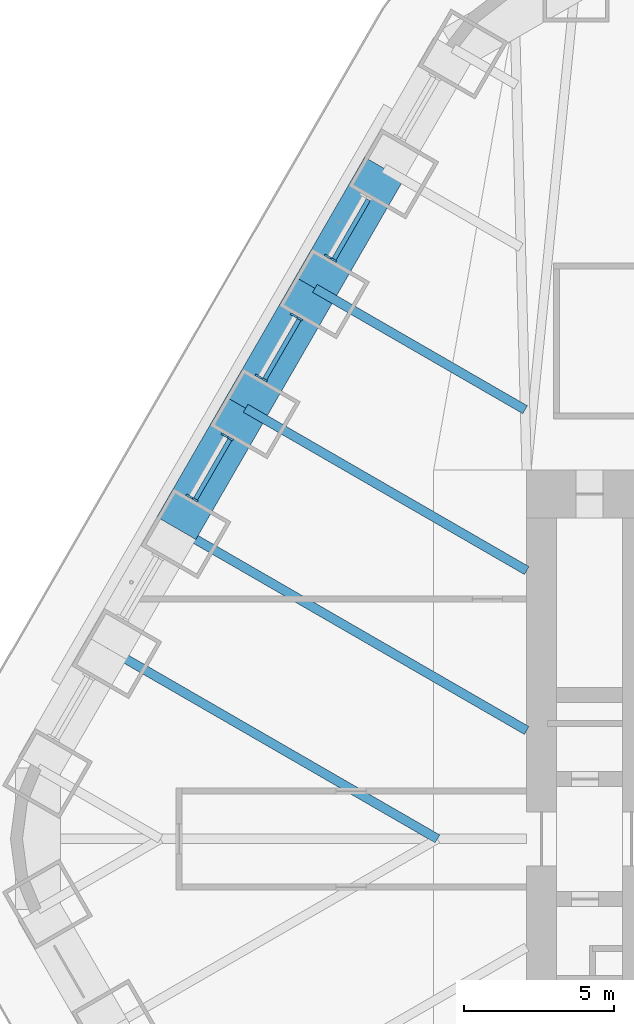
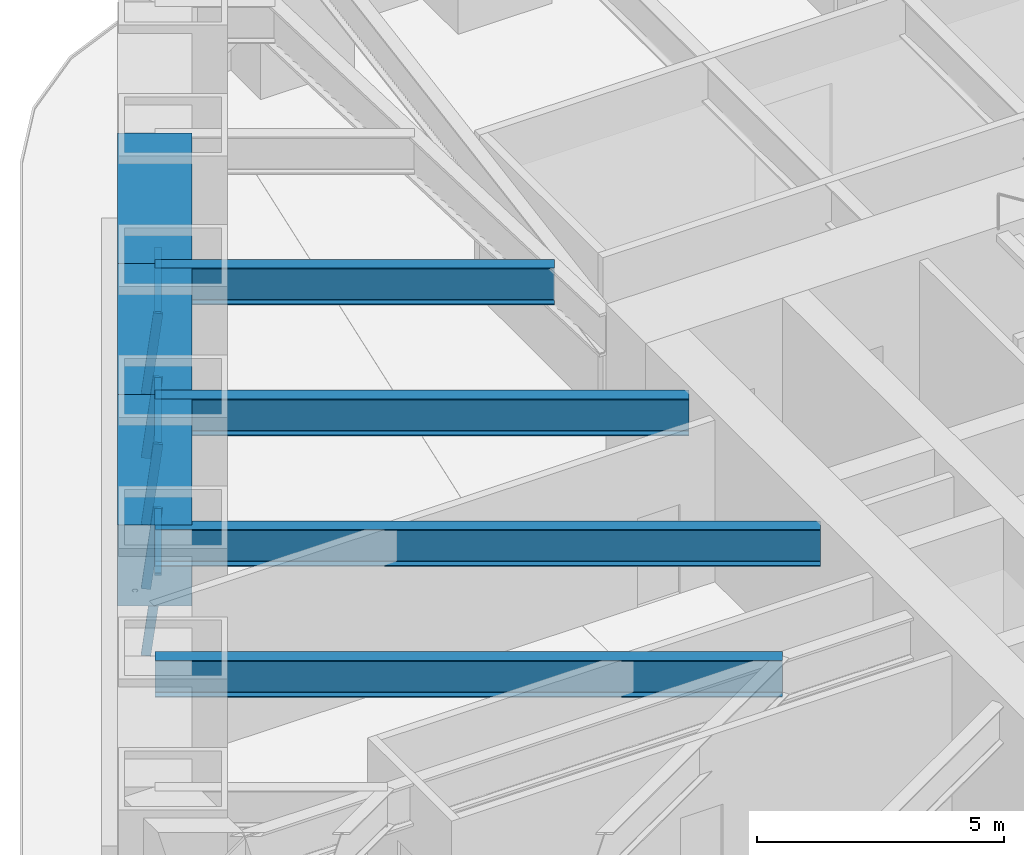
# One storey, part 7 of 20: 8 members, 7 beams, 3 elements without a shape of their own.
"""IFC4 building model written with IfcOpenShell, lengths in metres."""

from ifc_helpers import new_model, si_unit, direction, frame, origin, origin_2d, place, context, subcontext, project, spatial, rectangle, i_section, extrude, material, material_profile, profile_set, type_object, element, aggregate, save


model = new_model("IFC4")

# Units and contexts
model_context = context("Model", 3, precision=1e-05, world=origin(), true_north=direction((0.0, 1.0)))
body_context = subcontext(model_context, "Body", "Model", "MODEL_VIEW")
ifc_project = project(units=[si_unit("LENGTHUNIT", "METRE"), si_unit("AREAUNIT", "SQUARE_METRE"), si_unit("VOLUMEUNIT", "CUBIC_METRE"), si_unit("PLANEANGLEUNIT", "RADIAN"), si_unit("MASSUNIT", "GRAM", prefix="KILO")], contexts=[model_context])

# Site, building, storey
site_placement = place(None, origin())
site = spatial("IfcSite", under=ifc_project, at=site_placement, CompositionType="ELEMENT")
building_placement = place(site_placement, origin())
building = spatial("IfcBuilding", under=site, at=building_placement, Name="Tarfa Lantern Tower", CompositionType="ELEMENT")
storey_placement = place(building_placement, frame((0.0, 0.0, 215.5)))
storey = spatial("IfcBuildingStorey", under=building, at=storey_placement, Name="L48", CompositionType="ELEMENT", Elevation=215.5)

# Curtain wall, member
ifc_material_1 = material(Name="Aluminium framed curtain wall", Category="aluminium")
curtain_wall_type = type_object("IfcCurtainWallType", Name="CW3 CANTED GLAZING HIGH ZONE 2000", PredefinedType="USERDEFINED", material=ifc_material_1)
curtain_wall_1_placement = place(storey_placement, origin())
curtain_wall_1 = element("IfcCurtainWall", 1, at=curtain_wall_1_placement, inside=storey, type_object=curtain_wall_type, Name="CW3 NW L48", ObjectType="CURTAIN WALL", PredefinedType="USERDEFINED")
ifc_material_2 = material(Name="Aluminium mullion", Category="aluminium")
ifc_material_profile_1 = material_profile(ifc_material_2, rectangle(XDim=0.06494140625, YDim=0.199951171875, at=origin_2d()), Name="AL MULLION 65x200")
ifc_profile_set_1 = profile_set([ifc_material_profile_1], Name="Aluminium mullion")
member_type_1 = type_object("IfcMemberType", Name="CWM1 MULLION 65x200", PredefinedType="MULLION", material=ifc_profile_set_1)
member_1_placement = place(storey_placement, frame((-22.152587890625, 19.4306640625, 0.0), z_axis=(0.107439978116, -0.062017213975, 0.992275423596), x_axis=(0.499919672301, 0.866071776036, 0.0)))
member_1 = element("IfcMember", 2, at=member_1_placement, type_object=member_type_1, Name="CW3 mullion 2", PredefinedType="MULLION", context=body_context, shape_type="SweptSolid", body=[
    extrude(rectangle(XDim=0.06494140625, YDim=0.199951171875, at=origin_2d()), origin(), (0.0, 0.0, 1.0), 2.015625),
])

# Curtain wall, members
curtain_wall_2_placement = place(storey_placement, origin())
curtain_wall_2 = element("IfcCurtainWall", 3, at=curtain_wall_2_placement, inside=storey, type_object=curtain_wall_type, Name="CW3 NW L48", ObjectType="CURTAIN WALL", PredefinedType="USERDEFINED")
member_2_placement = place(storey_placement, frame((-23.284912109375, 17.46923828125, 0.0), z_axis=(0.107439978116, -0.062017213975, 0.992275423596), x_axis=(0.499919672301, 0.866071776036, 0.0)))
member_2 = element("IfcMember", 4, at=member_2_placement, type_object=member_type_1, Name="CW3 mullion 1", PredefinedType="MULLION", context=body_context, shape_type="SweptSolid", body=[
    extrude(rectangle(XDim=0.06494140625, YDim=0.199951171875, at=origin_2d()), origin(), (0.0, 0.0, 1.0), 2.015625),
])
member_3_placement = place(storey_placement, frame((-24.4619140625, 15.4306640625, 0.0), z_axis=(0.107439978116, -0.062017213975, 0.992275423596), x_axis=(0.499919672301, 0.866071776036, 0.0)))
member_3 = element("IfcMember", 5, at=member_3_placement, type_object=member_type_1, Name="CW3 mullion 2", PredefinedType="MULLION", context=body_context, shape_type="SweptSolid", body=[
    extrude(rectangle(XDim=0.06494140625, YDim=0.199951171875, at=origin_2d()), origin(), (0.0, 0.0, 1.0), 2.015625),
])

curtain_wall_3_placement = place(storey_placement, origin())
curtain_wall_3 = element("IfcCurtainWall", 6, at=curtain_wall_3_placement, inside=storey, type_object=curtain_wall_type, Name="CW3 NW L48", ObjectType="CURTAIN WALL", PredefinedType="USERDEFINED")
member_4_placement = place(storey_placement, frame((-25.594482421875, 13.46923828125, 0.0), z_axis=(0.107439978116, -0.062017213975, 0.992275423596), x_axis=(0.499919672301, 0.866071776036, 0.0)))
member_4 = element("IfcMember", 7, at=member_4_placement, type_object=member_type_1, Name="CW3 mullion 1", PredefinedType="MULLION", context=body_context, shape_type="SweptSolid", body=[
    extrude(rectangle(XDim=0.06494140625, YDim=0.199951171875, at=origin_2d()), origin(), (0.0, 0.0, 1.0), 2.015625),
])
member_5_placement = place(storey_placement, frame((-26.771240234375, 11.4306640625, 0.0), z_axis=(0.107439978116, -0.062017213975, 0.992275423596), x_axis=(0.499919672301, 0.866071776036, 0.0)))
member_5 = element("IfcMember", 8, at=member_5_placement, type_object=member_type_1, Name="CW3 mullion 2", PredefinedType="MULLION", context=body_context, shape_type="SweptSolid", body=[
    extrude(rectangle(XDim=0.06494140625, YDim=0.199951171875, at=origin_2d()), origin(), (0.0, 0.0, 1.0), 2.015625),
])

# Member
ifc_material_3 = material(Name="Aluminium transom", Category="aluminium")
ifc_material_profile_2 = material_profile(ifc_material_3, rectangle(XDim=0.14990234375, YDim=0.06494140625, at=origin_2d()), Name="AL TRANSOM 150x65")
ifc_profile_set_2 = profile_set([ifc_material_profile_2], Name="Aluminium transom")
member_type_2 = type_object("IfcMemberType", Name="CWT1 TRANSOM 150x65", PredefinedType="USERDEFINED", material=ifc_profile_set_2)
member_6_placement = place(storey_placement, frame((-20.77880859375, 21.318115234375, 1.967529296875), z_axis=(-0.500039451542, -0.866002625228, 0.0), x_axis=(0.866002625228, -0.500039451542, 0.0)))
member_6 = element("IfcMember", 9, at=member_6_placement, type_object=member_type_2, Name="CW3 transom 1.2", ObjectType="TRANSOM", PredefinedType="USERDEFINED", context=body_context, shape_type="SweptSolid", body=[
    extrude(rectangle(XDim=0.14990234375, YDim=0.06494140625, at=origin_2d()), origin(), (0.0, 0.0, 1.0), 2.288818359375),
])

aggregate(curtain_wall_1, [member_1, member_6])

member_7_placement = place(storey_placement, frame((-23.088134765625, 17.318115234375, 1.967529296875), z_axis=(-0.500039451542, -0.866002625228, 0.0), x_axis=(0.866002625228, -0.500039451542, 0.0)))
member_7 = element("IfcMember", 10, at=member_7_placement, type_object=member_type_2, Name="CW3 transom 1.2", ObjectType="TRANSOM", PredefinedType="USERDEFINED", context=body_context, shape_type="SweptSolid", body=[
    extrude(rectangle(XDim=0.14990234375, YDim=0.06494140625, at=origin_2d()), origin(), (0.0, 0.0, 1.0), 2.288818359375),
])

aggregate(curtain_wall_2, [member_2, member_3, member_7])

member_8_placement = place(storey_placement, frame((-25.397705078125, 13.318115234375, 1.967529296875), z_axis=(-0.499959451571, -0.866048813165, 0.0), x_axis=(0.866048813165, -0.499959451571, 0.0)))
member_8 = element("IfcMember", 11, at=member_8_placement, type_object=member_type_2, Name="CW3 transom 1.2", ObjectType="TRANSOM", PredefinedType="USERDEFINED", context=body_context, shape_type="SweptSolid", body=[
    extrude(rectangle(XDim=0.14990234375, YDim=0.06494140625, at=origin_2d()), origin(), (0.0, 0.0, 1.0), 2.288818359375),
])

aggregate(curtain_wall_3, [member_4, member_5, member_8])

# Beams
ifc_material_4 = material(Name="Concrete C80/95", Category="concrete")
ifc_material_profile_3 = material_profile(ifc_material_4, rectangle(XDim=1.5, YDim=2.0, at=origin_2d()), Name="RC 1500x2000")
ifc_profile_set_3 = profile_set([ifc_material_profile_3], Name="Concrete C80/95")
beam_type_1 = type_object("IfcBeamType", Name="RB3 RC 1500x2000", PredefinedType="BEAM", material=ifc_profile_set_3)
beam_1_placement = place(storey_placement, frame((-20.25341796875, 22.360107421875, 3.0), z_axis=(-0.499987836815, -0.866032426089, 0.0), x_axis=(0.866032426089, -0.499987836815, 0.0)))
element("IfcBeam", 12, at=beam_1_placement, inside=storey, type_object=beam_type_1, Name="Edge beam NW1", PredefinedType="BEAM", context=body_context, shape_type="SweptSolid", body=[
    extrude(rectangle(XDim=1.5, YDim=2.0, at=origin_2d()), origin(), (0.0, 0.0, 1.0), 4.61865234375),
])
beam_2_placement = place(storey_placement, frame((-22.562744140625, 18.360107421875, 3.0), z_axis=(-0.500027479704, -0.866009537788, 0.0), x_axis=(0.866009537788, -0.500027479704, 0.0)))
element("IfcBeam", 13, at=beam_2_placement, inside=storey, type_object=beam_type_1, Name="Edge beam NW2", PredefinedType="BEAM", context=body_context, shape_type="SweptSolid", body=[
    extrude(rectangle(XDim=1.5, YDim=2.0, at=origin_2d()), origin(), (0.0, 0.0, 1.0), 4.618896484375),
])
beam_3_placement = place(storey_placement, frame((-24.872314453125, 14.360107421875, 3.0), z_axis=(-0.499987836815, -0.866032426089, 0.0), x_axis=(0.866032426089, -0.499987836815, 0.0)))
element("IfcBeam", 14, at=beam_3_placement, inside=storey, type_object=beam_type_1, Name="Edge beam NW3", PredefinedType="BEAM", context=body_context, shape_type="SweptSolid", body=[
    extrude(rectangle(XDim=1.5, YDim=2.0, at=origin_2d()), origin(), (0.0, 0.0, 1.0), 4.61865234375),
])
ifc_material_5 = material(Name="Steel S460M", Category="steel")
ifc_material_profile_4 = material_profile(ifc_material_5, i_section(OverallWidth=0.305419921875, OverallDepth=0.91845703125, WebThickness=0.017333984375, FlangeThickness=0.02783203125, FilletRadius=0.01904296875, at=origin_2d()), Name="UB914x305x253")
ifc_profile_set_4 = profile_set([ifc_material_profile_4], Name="Steel S460M")
beam_type_2 = type_object("IfcBeamType", Name="UB914x305x253", PredefinedType="BEAM", material=ifc_profile_set_4)
beam_4_placement = place(storey_placement, frame((-22.562744140625, 18.360107421875, 3.540771484375), z_axis=(0.866010787764, -0.500025314835, 0.0), x_axis=(0.500025314835, 0.866010787764, 0.0)))
element("IfcBeam", 15, at=beam_4_placement, inside=storey, type_object=beam_type_2, Name="Floor beam NW2", PredefinedType="BEAM", context=body_context, shape_type="SweptSolid", body=[
    extrude(i_section(OverallWidth=0.305419921875, OverallDepth=0.91845703125, WebThickness=0.017333984375, FlangeThickness=0.02783203125, FilletRadius=0.01904296875, at=origin_2d()), origin(), (0.0, 0.0, 1.0), 8.09423828125),
])
beam_5_placement = place(storey_placement, frame((-24.872314453125, 14.360107421875, 3.540771484375), z_axis=(0.8660244219, -0.500001700669, 0.0), x_axis=(0.500001700669, 0.8660244219, 0.0)))
element("IfcBeam", 16, at=beam_5_placement, inside=storey, type_object=beam_type_2, Name="Floor beam NW3", PredefinedType="BEAM", context=body_context, shape_type="SweptSolid", body=[
    extrude(i_section(OverallWidth=0.305419921875, OverallDepth=0.91845703125, WebThickness=0.017333984375, FlangeThickness=0.02783203125, FilletRadius=0.01904296875, at=origin_2d()), origin(), (0.0, 0.0, 1.0), 10.822265625),
])
beam_6_placement = place(storey_placement, frame((-27.181640625, 10.360107421875, 3.540771484375), z_axis=(0.866018002818, -0.500012818631, 0.0), x_axis=(0.500012818631, 0.866018002818, 0.0)))
element("IfcBeam", 17, at=beam_6_placement, inside=storey, type_object=beam_type_2, Name="Floor beam NW4", PredefinedType="BEAM", context=body_context, shape_type="SweptSolid", body=[
    extrude(i_section(OverallWidth=0.305419921875, OverallDepth=0.91845703125, WebThickness=0.017333984375, FlangeThickness=0.02783203125, FilletRadius=0.01904296875, at=origin_2d()), origin(), (0.0, 0.0, 1.0), 13.489013671875),
])
beam_7_placement = place(storey_placement, frame((-29.490966796875, 6.360107421875, 3.540771484375), z_axis=(0.866022258038, -0.500005448553, 0.0), x_axis=(0.500005448553, 0.866022258038, 0.0)))
element("IfcBeam", 18, at=beam_7_placement, inside=storey, type_object=beam_type_2, Name="Floor beam NW5", PredefinedType="BEAM", context=body_context, shape_type="SweptSolid", body=[
    extrude(i_section(OverallWidth=0.305419921875, OverallDepth=0.91845703125, WebThickness=0.017333984375, FlangeThickness=0.02783203125, FilletRadius=0.01904296875, at=origin_2d()), origin(), (0.0, 0.0, 1.0), 12.719970703125),
])

save(model, "model.ifc")
